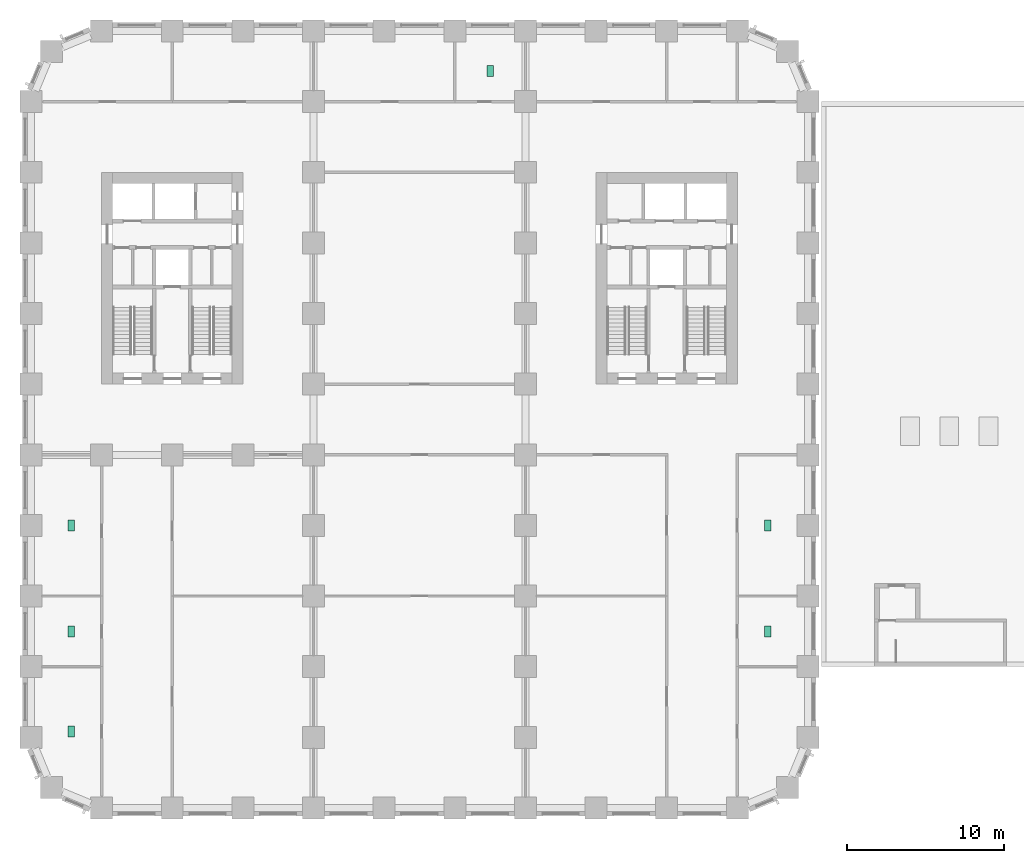
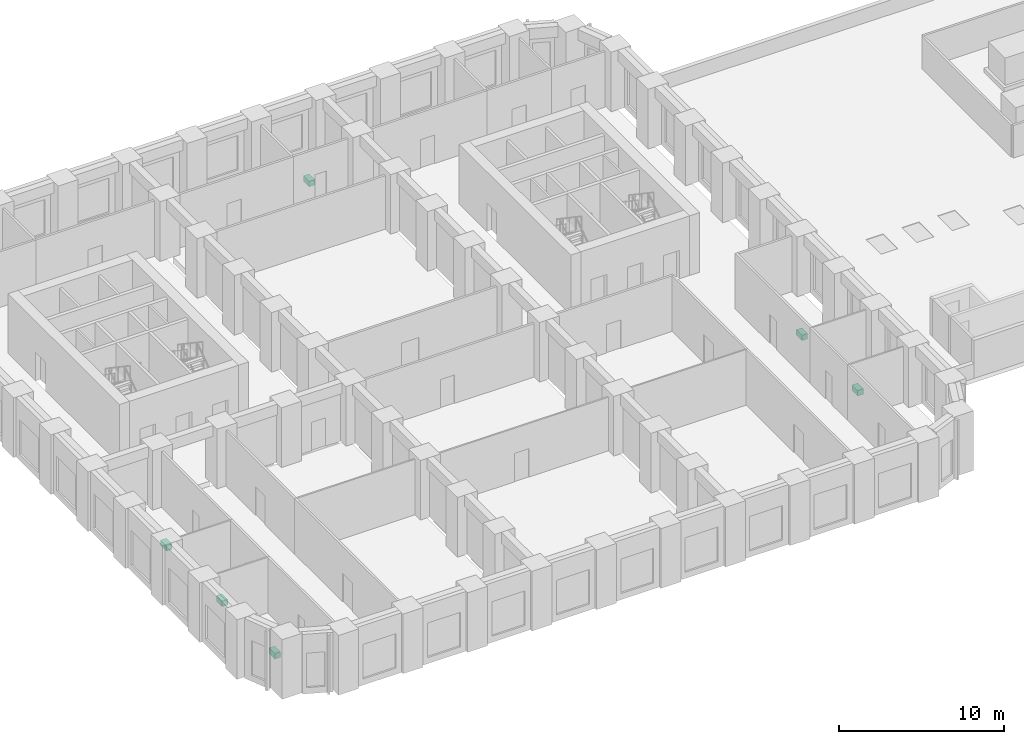
# One storey, part 13 of 14: 6 sanitary terminals.
"""IFC4 building model written with IfcOpenShell, lengths in metres."""

import ifcopenshell
import ifcopenshell.guid

model = None  # the IFC model being written
_history = None  # IfcOwnerHistory: only IFC2X3 demands one
_inside = {}  # id of a spatial element -> (the spatial element, [elements in it])
_under = {}  # id of a project, library or spatial element -> (it, [spatial elements below it])
_declared = {}  # id of a project -> (the project, [libraries it declares])
_typed = {}  # id of a type object -> (the type object, [elements of that type])
_made_of = {}  # id of a material, layer set ... -> (it, [elements and type objects made of it])


def new_model(schema):
    """Start an empty IFC model of exactly this schema.

    Asked for "IFC4X3", IfcOpenShell would pick the latest addendum, in which some entities
    have other attributes; the version numbers below select the first issue.
    IFC2X3 requires an IfcOwnerHistory on every rooted entity: one is made here for all.
    """
    global model, _history
    if schema == "IFC4X3":
        model = ifcopenshell.file(schema_version=(4, 3, 0, 0))
    else:
        model = ifcopenshell.file(schema=schema)
    _inside.clear()
    _under.clear()
    _declared.clear()
    _typed.clear()
    _made_of.clear()
    _history = None
    if model.schema == "IFC2X3":
        org = make("IfcOrganization", Name="unknown")
        user = make(
            "IfcPersonAndOrganization",
            ThePerson=make("IfcPerson", FamilyName="unknown"),
            TheOrganization=org,
        )
        app = make(
            "IfcApplication",
            ApplicationDeveloper=org,
            Version="unknown",
            ApplicationFullName="unknown",
            ApplicationIdentifier="unknown",
        )
        _history = make(
            "IfcOwnerHistory",
            OwningUser=user,
            OwningApplication=app,
            ChangeAction="ADDED",
            CreationDate=0,
        )
    return model


def make(cls, **values):
    """One entity of the class cls with the attributes given. An attribute that is None is left unset."""
    return model.create_entity(
        cls, **{name: value for name, value in values.items() if value is not None}
    )


def rooted(cls, **values):
    """An entity with a GlobalId (a new one), such as an element, a storey or a relation."""
    return make(cls, GlobalId=ifcopenshell.guid.new(), OwnerHistory=_history, **values)


def si_unit(unit_type, name, prefix=None):
    """IfcSIUnit, for example si_unit("LENGTHUNIT", "METRE", prefix="MILLI")."""
    return make("IfcSIUnit", UnitType=unit_type, Prefix=prefix, Name=name)


def assignment(units):
    """IfcUnitAssignment: the units of a project."""
    return None if units is None else make("IfcUnitAssignment", Units=units)


def point(xyz):
    """IfcCartesianPoint."""
    return None if xyz is None else make("IfcCartesianPoint", Coordinates=xyz)


def direction(xyz):
    """IfcDirection."""
    return None if xyz is None else make("IfcDirection", DirectionRatios=xyz)


def frame(location, z_axis=None, x_axis=None):
    """IfcAxis2Placement3D, a coordinate frame: its origin and axes. An axis left out is left unset."""
    return make(
        "IfcAxis2Placement3D",
        Location=point(location),
        Axis=direction(z_axis),
        RefDirection=direction(x_axis),
    )


def frame_2d(location, x_axis=None):
    """IfcAxis2Placement2D, a coordinate frame in the plane: its origin and x axis."""
    return make(
        "IfcAxis2Placement2D", Location=point(location), RefDirection=direction(x_axis)
    )


def origin():
    """The frame at (0, 0, 0) with its axes left unset."""
    return frame((0.0, 0.0, 0.0))


def origin_2d():
    """The frame at (0, 0) in the plane with its x axis left unset."""
    return frame_2d((0.0, 0.0))


def place(relative_to, where):
    """IfcLocalPlacement: puts the frame where relative to a parent placement (None: the world)."""
    return make(
        "IfcLocalPlacement", PlacementRelTo=relative_to, RelativePlacement=where
    )


def context(
    kind, dimensions, precision=None, world=None, true_north=None, identifier=None
):
    """IfcGeometricRepresentationContext, for example the 3D "Model" context."""
    return make(
        "IfcGeometricRepresentationContext",
        ContextIdentifier=identifier,
        ContextType=kind,
        CoordinateSpaceDimension=dimensions,
        Precision=precision,
        WorldCoordinateSystem=world,
        TrueNorth=true_north,
    )


def subcontext(parent, identifier, kind, view, scale=None):
    """IfcGeometricRepresentationSubContext, for example "Body" below "Model"."""
    return make(
        "IfcGeometricRepresentationSubContext",
        ContextIdentifier=identifier,
        ContextType=kind,
        ParentContext=parent,
        TargetScale=scale,
        TargetView=view,
    )


def project(units=None, contexts=None):
    """IfcProject with its units and contexts."""
    return rooted(
        "IfcProject",
        Name="project",
        RepresentationContexts=contexts,
        UnitsInContext=assignment(units),
    )


def spatial(cls, under=None, at=None, **own):
    """A site, building, storey or space (cls), placed at a placement, below another one or the project."""
    s = rooted(cls, ObjectPlacement=at, **own)
    if under is not None:
        _under.setdefault(under.id(), (under, []))[1].append(s)
    return s


def profile(cls, at=None, kind="AREA", **sizes):
    """A parametric profile (cls). Its sizes go by their IFC names, for example OverallWidth=200.0."""
    return make(cls, ProfileType=kind, Position=at, **sizes)


def rectangle(**sizes):
    """IfcRectangleProfileDef."""
    return profile("IfcRectangleProfileDef", **sizes)


def extrude(swept, where, along, depth):
    """IfcExtrudedAreaSolid: the profile swept, set in the frame where, extruded along a direction by depth."""
    return make(
        "IfcExtrudedAreaSolid",
        SweptArea=swept,
        Position=where,
        ExtrudedDirection=direction(along),
        Depth=depth,
    )


def shape(context_of_items, identifier, shape_type, items):
    """IfcShapeRepresentation: the items that make up one representation, for example the "Body"."""
    return make(
        "IfcShapeRepresentation",
        ContextOfItems=context_of_items,
        RepresentationIdentifier=identifier,
        RepresentationType=shape_type,
        Items=items,
    )


def material(Name=None, Category=None):
    """IfcMaterial."""
    return make("IfcMaterial", Name=Name, Category=Category)


def made_of(thing, what):
    """Note that an element or type object is made of a material, layer set ...; save() writes the relation."""
    if what is not None:
        _made_of.setdefault(what.id(), (what, []))[1].append(thing)
    return thing


def type_object(cls, material=None, **own):
    """A type object (cls), such as IfcWallType, which elements share."""
    return made_of(rooted(cls, **own), material)


def element(
    cls,
    number,
    at=None,
    inside=None,
    cuts=None,
    type_object=None,
    material=None,
    context=None,
    identifier="Body",
    shape_type=None,
    held_by="IfcProductDefinitionShape",
    body=None,
    shapes=None,
    **own,
):
    """One element of the class cls, such as IfcWall. Its Tag is "e" and its number.

    at: its placement. inside: the storey or other place that contains it. cuts: it is an
    opening in that element (IfcRelVoidsElement). A single representation is given by context,
    identifier, shape_type and body (its items); several are given by shapes. held_by: the class
    of the entity that holds the representations. save() writes the other relations.
    """
    e = rooted(cls, Tag="e%d" % number, ObjectPlacement=at, **own)
    if body is not None:
        shapes = [shape(context, identifier, shape_type, body)]
    if shapes is not None:
        e.Representation = make(held_by, Representations=shapes)
    if inside is not None:
        _inside.setdefault(inside.id(), (inside, []))[1].append(e)
    if cuts is not None:
        rooted(
            "IfcRelVoidsElement", RelatingBuildingElement=cuts, RelatedOpeningElement=e
        )
    if type_object is not None:
        _typed.setdefault(type_object.id(), (type_object, []))[1].append(e)
    return made_of(e, material)


def aggregate(whole, parts):
    """IfcRelAggregates: a whole, such as a stair, and the parts it consists of."""
    return rooted("IfcRelAggregates", RelatingObject=whole, RelatedObjects=parts)


def save(model, path):
    """Write the relations noted so far, then the file.

    IfcRelAggregates (storeys below a building ...), IfcRelContainedInSpatialStructure (elements
    in a storey), IfcRelDefinesByType, IfcRelAssociatesMaterial and IfcRelDeclares: one each for
    every whole, place, type object, material and project.
    """
    for whole, parts in _under.values():
        aggregate(whole, parts)
    for where, things in _inside.values():
        rooted(
            "IfcRelContainedInSpatialStructure",
            RelatedElements=things,
            RelatingStructure=where,
        )
    for kind, things in _typed.values():
        rooted("IfcRelDefinesByType", RelatedObjects=things, RelatingType=kind)
    for what, things in _made_of.values():
        rooted("IfcRelAssociatesMaterial", RelatedObjects=things, RelatingMaterial=what)
    for by, libraries in _declared.values():
        rooted("IfcRelDeclares", RelatingContext=by, RelatedDefinitions=libraries)
    model.write(path)


model = new_model("IFC4")

# Units and contexts
model_context = context("Model", 3, precision=1e-05, world=origin(), true_north=direction((0.0, 1.0)))
body_context = subcontext(model_context, "Body", "Model", "MODEL_VIEW")
ifc_project = project(units=[si_unit("LENGTHUNIT", "METRE"), si_unit("AREAUNIT", "SQUARE_METRE"), si_unit("VOLUMEUNIT", "CUBIC_METRE"), si_unit("PLANEANGLEUNIT", "RADIAN"), si_unit("MASSUNIT", "GRAM", prefix="KILO")], contexts=[model_context])

# Site, building, storey
site_placement = place(None, origin())
site = spatial("IfcSite", under=ifc_project, at=site_placement, CompositionType="ELEMENT")
building_placement = place(site_placement, origin())
building = spatial("IfcBuilding", under=site, at=building_placement, Name="Girih Gate Residences", CompositionType="ELEMENT")
storey_placement = place(building_placement, frame((0.0, 0.0, 26.0)))
storey = spatial("IfcBuildingStorey", under=building, at=storey_placement, Name="L05", CompositionType="ELEMENT", Elevation=26.0)

# Sanitary terminals
ifc_material = material(Name="Vitreous china")
sanitary_terminal_type = type_object("IfcSanitaryTerminalType", Name="WC pan", PredefinedType="TOILETPAN", material=ifc_material)
for number, where, z_axis, x_axis, name in (
    (1, (29.25, 46.93798828125, 0.0), (0.0, 0.0, 1.0), (1.0, 0.0, 0.0), "WC pan L05"),
    (2, (46.93798828125, 11.25, 0.0), (0.0, 0.0, 1.0), (1.0, 0.0, 0.0), "WC pan L05"),
    (3, (46.93798828125, 17.988037109375, 0.0), (0.0, 0.0, 1.0), (1.0, 0.0, 0.0), "WC pan L05"),
    (4, (2.56201171875, 4.868896484375, 0.0), (0.0, 0.0, 1.0), (1.0, 0.0, 0.0), "WC pan L05"),
    (5, (2.56201171875, 11.25, 0.0), (0.0, 0.0, 1.0), (1.0, 0.0, 0.0), "WC pan L05"),
    (6, (2.56201171875, 17.988037109375, 0.0), (0.0, 0.0, 1.0), (1.0, 0.0, 0.0), "WC pan L05"),
):
    element("IfcSanitaryTerminal", number, at=place(storey_placement, frame(where, z_axis=z_axis, x_axis=x_axis)), inside=storey, type_object=sanitary_terminal_type, Name=name, PredefinedType="TOILETPAN", context=body_context, shape_type="SweptSolid", body=[
        extrude(rectangle(XDim=0.39990234375, YDim=0.699951171875, at=origin_2d()), origin(), (0.0, 0.0, 1.0), 0.39990234375),
    ])

save(model, "model.ifc")
